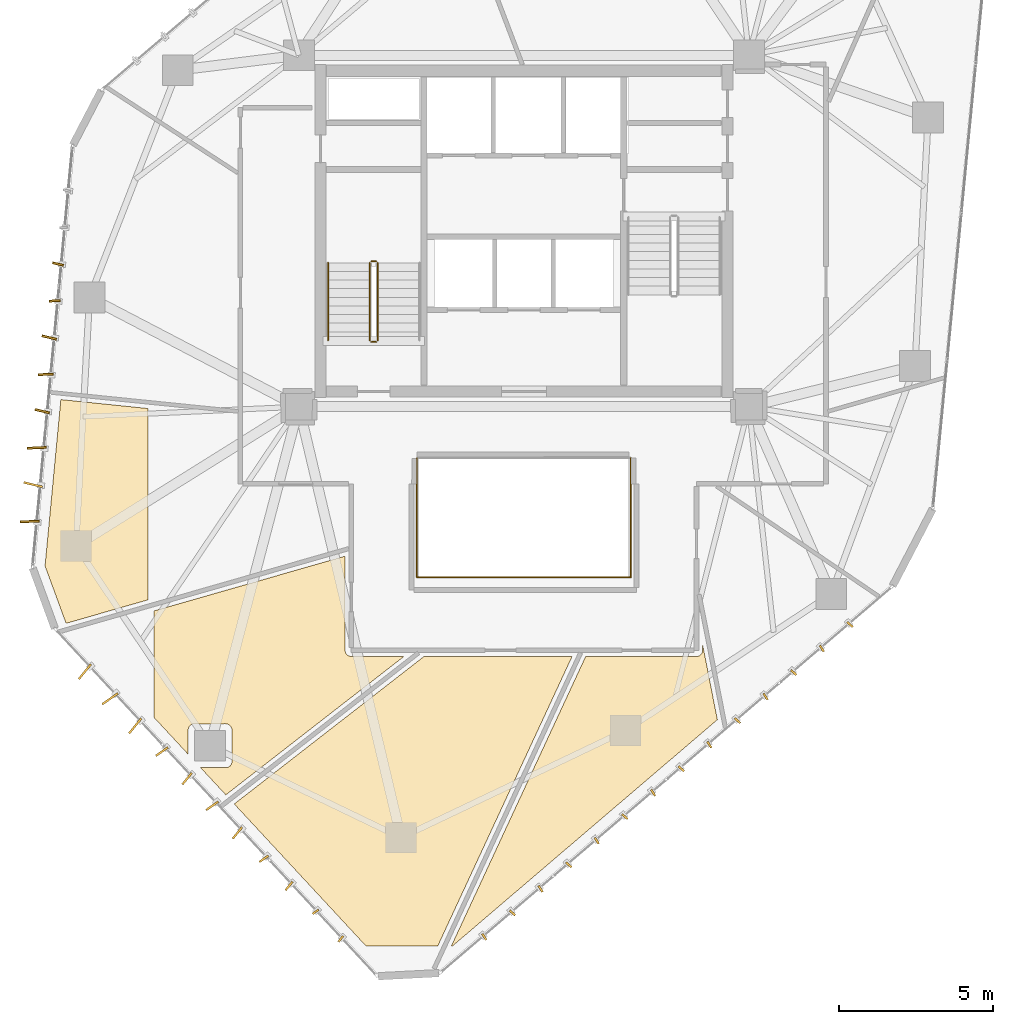
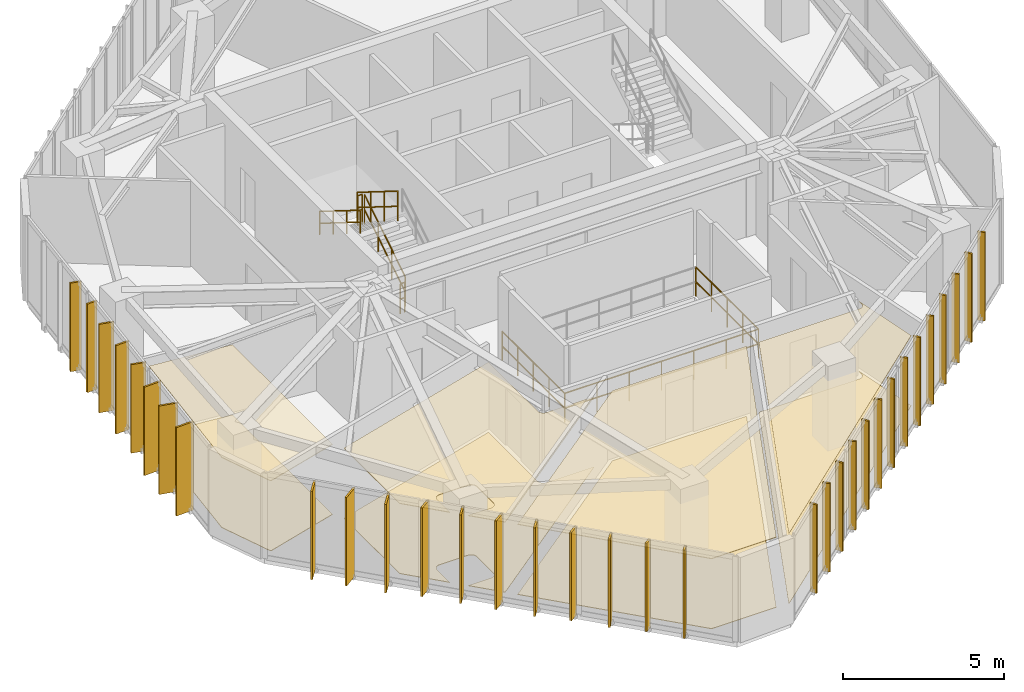
# One storey, part 20 of 21: 33 shading devices, 8 coverings, 8 railings.
"""IFC4 building model written with IfcOpenShell, lengths in metres."""

import ifcopenshell
import ifcopenshell.guid

model = None  # the IFC model being written
_history = None  # IfcOwnerHistory: only IFC2X3 demands one
_inside = {}  # id of a spatial element -> (the spatial element, [elements in it])
_under = {}  # id of a project, library or spatial element -> (it, [spatial elements below it])
_declared = {}  # id of a project -> (the project, [libraries it declares])
_typed = {}  # id of a type object -> (the type object, [elements of that type])
_made_of = {}  # id of a material, layer set ... -> (it, [elements and type objects made of it])


def new_model(schema):
    """Start an empty IFC model of exactly this schema.

    Asked for "IFC4X3", IfcOpenShell would pick the latest addendum, in which some entities
    have other attributes; the version numbers below select the first issue.
    IFC2X3 requires an IfcOwnerHistory on every rooted entity: one is made here for all.
    """
    global model, _history
    if schema == "IFC4X3":
        model = ifcopenshell.file(schema_version=(4, 3, 0, 0))
    else:
        model = ifcopenshell.file(schema=schema)
    _inside.clear()
    _under.clear()
    _declared.clear()
    _typed.clear()
    _made_of.clear()
    _history = None
    if model.schema == "IFC2X3":
        org = make("IfcOrganization", Name="unknown")
        user = make(
            "IfcPersonAndOrganization",
            ThePerson=make("IfcPerson", FamilyName="unknown"),
            TheOrganization=org,
        )
        app = make(
            "IfcApplication",
            ApplicationDeveloper=org,
            Version="unknown",
            ApplicationFullName="unknown",
            ApplicationIdentifier="unknown",
        )
        _history = make(
            "IfcOwnerHistory",
            OwningUser=user,
            OwningApplication=app,
            ChangeAction="ADDED",
            CreationDate=0,
        )
    return model


def make(cls, **values):
    """One entity of the class cls with the attributes given. An attribute that is None is left unset."""
    return model.create_entity(
        cls, **{name: value for name, value in values.items() if value is not None}
    )


def rooted(cls, **values):
    """An entity with a GlobalId (a new one), such as an element, a storey or a relation."""
    return make(cls, GlobalId=ifcopenshell.guid.new(), OwnerHistory=_history, **values)


def si_unit(unit_type, name, prefix=None):
    """IfcSIUnit, for example si_unit("LENGTHUNIT", "METRE", prefix="MILLI")."""
    return make("IfcSIUnit", UnitType=unit_type, Prefix=prefix, Name=name)


def assignment(units):
    """IfcUnitAssignment: the units of a project."""
    return None if units is None else make("IfcUnitAssignment", Units=units)


def point(xyz):
    """IfcCartesianPoint."""
    return None if xyz is None else make("IfcCartesianPoint", Coordinates=xyz)


def direction(xyz):
    """IfcDirection."""
    return None if xyz is None else make("IfcDirection", DirectionRatios=xyz)


def frame(location, z_axis=None, x_axis=None):
    """IfcAxis2Placement3D, a coordinate frame: its origin and axes. An axis left out is left unset."""
    return make(
        "IfcAxis2Placement3D",
        Location=point(location),
        Axis=direction(z_axis),
        RefDirection=direction(x_axis),
    )


def frame_2d(location, x_axis=None):
    """IfcAxis2Placement2D, a coordinate frame in the plane: its origin and x axis."""
    return make(
        "IfcAxis2Placement2D", Location=point(location), RefDirection=direction(x_axis)
    )


def origin():
    """The frame at (0, 0, 0) with its axes left unset."""
    return frame((0.0, 0.0, 0.0))


def origin_2d():
    """The frame at (0, 0) in the plane with its x axis left unset."""
    return frame_2d((0.0, 0.0))


def place(relative_to, where):
    """IfcLocalPlacement: puts the frame where relative to a parent placement (None: the world)."""
    return make(
        "IfcLocalPlacement", PlacementRelTo=relative_to, RelativePlacement=where
    )


def context(
    kind, dimensions, precision=None, world=None, true_north=None, identifier=None
):
    """IfcGeometricRepresentationContext, for example the 3D "Model" context."""
    return make(
        "IfcGeometricRepresentationContext",
        ContextIdentifier=identifier,
        ContextType=kind,
        CoordinateSpaceDimension=dimensions,
        Precision=precision,
        WorldCoordinateSystem=world,
        TrueNorth=true_north,
    )


def subcontext(parent, identifier, kind, view, scale=None):
    """IfcGeometricRepresentationSubContext, for example "Body" below "Model"."""
    return make(
        "IfcGeometricRepresentationSubContext",
        ContextIdentifier=identifier,
        ContextType=kind,
        ParentContext=parent,
        TargetScale=scale,
        TargetView=view,
    )


def project(units=None, contexts=None):
    """IfcProject with its units and contexts."""
    return rooted(
        "IfcProject",
        Name="project",
        RepresentationContexts=contexts,
        UnitsInContext=assignment(units),
    )


def spatial(cls, under=None, at=None, **own):
    """A site, building, storey or space (cls), placed at a placement, below another one or the project."""
    s = rooted(cls, ObjectPlacement=at, **own)
    if under is not None:
        _under.setdefault(under.id(), (under, []))[1].append(s)
    return s


def polyline(points):
    """IfcPolyline through the points."""
    return make("IfcPolyline", Points=[point(p) for p in points])


def profile(cls, at=None, kind="AREA", **sizes):
    """A parametric profile (cls). Its sizes go by their IFC names, for example OverallWidth=200.0."""
    return make(cls, ProfileType=kind, Position=at, **sizes)


def rectangle(**sizes):
    """IfcRectangleProfileDef."""
    return profile("IfcRectangleProfileDef", **sizes)


def circle(**sizes):
    """IfcCircleProfileDef."""
    return profile("IfcCircleProfileDef", **sizes)


def outline(outer, holes=None, kind="AREA"):
    """IfcArbitraryClosedProfileDef: a profile drawn as a closed curve; with holes, ...WithVoids."""
    if holes is None:
        return make("IfcArbitraryClosedProfileDef", ProfileType=kind, OuterCurve=outer)
    return make(
        "IfcArbitraryProfileDefWithVoids",
        ProfileType=kind,
        OuterCurve=outer,
        InnerCurves=holes,
    )


def extrude(swept, where, along, depth):
    """IfcExtrudedAreaSolid: the profile swept, set in the frame where, extruded along a direction by depth."""
    return make(
        "IfcExtrudedAreaSolid",
        SweptArea=swept,
        Position=where,
        ExtrudedDirection=direction(along),
        Depth=depth,
    )


def shape(context_of_items, identifier, shape_type, items):
    """IfcShapeRepresentation: the items that make up one representation, for example the "Body"."""
    return make(
        "IfcShapeRepresentation",
        ContextOfItems=context_of_items,
        RepresentationIdentifier=identifier,
        RepresentationType=shape_type,
        Items=items,
    )


def source(mapping_origin, context_of_items, identifier, shape_type, items):
    """IfcRepresentationMap: a shape defined once, which mapped items show again and again."""
    return make(
        "IfcRepresentationMap",
        MappingOrigin=mapping_origin,
        MappedRepresentation=shape(context_of_items, identifier, shape_type, items),
    )


def transform(
    local_origin,
    x_axis=None,
    y_axis=None,
    z_axis=None,
    scale=None,
    scale2=None,
    scale3=None,
    uniform=True,
):
    """IfcCartesianTransformationOperator3D, or its non-uniform kind. x_axis, y_axis, z_axis: its Axis1, 2, 3."""
    if uniform:
        return make(
            "IfcCartesianTransformationOperator3D",
            Axis1=direction(x_axis),
            Axis2=direction(y_axis),
            LocalOrigin=point(local_origin),
            Scale=scale,
            Axis3=direction(z_axis),
        )
    return make(
        "IfcCartesianTransformationOperator3DnonUniform",
        Axis1=direction(x_axis),
        Axis2=direction(y_axis),
        LocalOrigin=point(local_origin),
        Scale=scale,
        Axis3=direction(z_axis),
        Scale2=scale2,
        Scale3=scale3,
    )


def mapped(mapping_source, mapping_target):
    """IfcMappedItem: shows the shape of a source again, moved by a transform."""
    return make(
        "IfcMappedItem", MappingSource=mapping_source, MappingTarget=mapping_target
    )


def material(Name=None, Category=None):
    """IfcMaterial."""
    return make("IfcMaterial", Name=Name, Category=Category)


def layer(
    of_material, thickness, ventilated=None, Name=None, Category=None, Priority=None
):
    """IfcMaterialLayer: one layer of a wall or slab, of a material (None: an air gap)."""
    return make(
        "IfcMaterialLayer",
        Material=of_material,
        LayerThickness=thickness,
        IsVentilated=ventilated,
        Name=Name,
        Category=Category,
        Priority=Priority,
    )


def layer_set(layers, Name=None):
    """IfcMaterialLayerSet."""
    return make("IfcMaterialLayerSet", MaterialLayers=layers, LayerSetName=Name)


def made_of(thing, what):
    """Note that an element or type object is made of a material, layer set ...; save() writes the relation."""
    if what is not None:
        _made_of.setdefault(what.id(), (what, []))[1].append(thing)
    return thing


def type_object(cls, material=None, **own):
    """A type object (cls), such as IfcWallType, which elements share."""
    return made_of(rooted(cls, **own), material)


def type_shapes(of_type, sources):
    """Give a type object the sources (RepresentationMaps) that its elements show as mapped items."""
    of_type.RepresentationMaps = sources


def element(
    cls,
    number,
    at=None,
    inside=None,
    cuts=None,
    type_object=None,
    material=None,
    context=None,
    identifier="Body",
    shape_type=None,
    held_by="IfcProductDefinitionShape",
    body=None,
    shapes=None,
    **own,
):
    """One element of the class cls, such as IfcWall. Its Tag is "e" and its number.

    at: its placement. inside: the storey or other place that contains it. cuts: it is an
    opening in that element (IfcRelVoidsElement). A single representation is given by context,
    identifier, shape_type and body (its items); several are given by shapes. held_by: the class
    of the entity that holds the representations. save() writes the other relations.
    """
    e = rooted(cls, Tag="e%d" % number, ObjectPlacement=at, **own)
    if body is not None:
        shapes = [shape(context, identifier, shape_type, body)]
    if shapes is not None:
        e.Representation = make(held_by, Representations=shapes)
    if inside is not None:
        _inside.setdefault(inside.id(), (inside, []))[1].append(e)
    if cuts is not None:
        rooted(
            "IfcRelVoidsElement", RelatingBuildingElement=cuts, RelatedOpeningElement=e
        )
    if type_object is not None:
        _typed.setdefault(type_object.id(), (type_object, []))[1].append(e)
    return made_of(e, material)


def aggregate(whole, parts):
    """IfcRelAggregates: a whole, such as a stair, and the parts it consists of."""
    return rooted("IfcRelAggregates", RelatingObject=whole, RelatedObjects=parts)


def save(model, path):
    """Write the relations noted so far, then the file.

    IfcRelAggregates (storeys below a building ...), IfcRelContainedInSpatialStructure (elements
    in a storey), IfcRelDefinesByType, IfcRelAssociatesMaterial and IfcRelDeclares: one each for
    every whole, place, type object, material and project.
    """
    for whole, parts in _under.values():
        aggregate(whole, parts)
    for where, things in _inside.values():
        rooted(
            "IfcRelContainedInSpatialStructure",
            RelatedElements=things,
            RelatingStructure=where,
        )
    for kind, things in _typed.values():
        rooted("IfcRelDefinesByType", RelatedObjects=things, RelatingType=kind)
    for what, things in _made_of.values():
        rooted("IfcRelAssociatesMaterial", RelatedObjects=things, RelatingMaterial=what)
    for by, libraries in _declared.values():
        rooted("IfcRelDeclares", RelatingContext=by, RelatedDefinitions=libraries)
    model.write(path)


model = new_model("IFC4")

# Units and contexts
model_context = context("Model", 3, precision=1e-05, world=origin(), true_north=direction((0.0, 1.0)))
body_context = subcontext(model_context, "Body", "Model", "MODEL_VIEW")
ifc_project = project(units=[si_unit("LENGTHUNIT", "METRE"), si_unit("AREAUNIT", "SQUARE_METRE"), si_unit("VOLUMEUNIT", "CUBIC_METRE"), si_unit("PLANEANGLEUNIT", "RADIAN"), si_unit("MASSUNIT", "GRAM", prefix="KILO")], contexts=[model_context])

# Site, building, storey
site_placement = place(None, origin())
site = spatial("IfcSite", under=ifc_project, at=site_placement, CompositionType="ELEMENT")
building_placement = place(site_placement, origin())
building = spatial("IfcBuilding", under=site, at=building_placement, Name="Talar Marvaseh", CompositionType="ELEMENT")
storey_placement = place(building_placement, frame((0.0, 0.0, 225.699951171875)))
storey = spatial("IfcBuildingStorey", under=building, at=storey_placement, Name="L59", CompositionType="ELEMENT", Elevation=225.699951171875)

# Railings
ifc_material_1 = material(Name="Stainless Steel Grade 316", Category="steel")
railing_type_1 = type_object("IfcRailingType", Name="Brushed Stainless Wall Pitch Handrail 900", PredefinedType="HANDRAIL", material=ifc_material_1)
railing_1_placement = place(storey_placement, frame((19.64990234375, 30.169921875, 1.925048828125)))
element("IfcRailing", 1, at=railing_1_placement, inside=storey, type_object=railing_type_1, Name="L59 ST-1 stair handrail 2", PredefinedType="HANDRAIL", context=body_context, shape_type="SweptSolid", body=[
    extrude(circle(Radius=0.02392578125, at=origin_2d()), frame((0.0, 0.0, 0.8759765625), z_axis=(0.0, -0.848007534815, 0.529984170421), x_axis=(1.0, 0.0, 0.0)), (0.0, 0.0, 1.0), 2.9716796875),
    extrude(circle(Radius=0.02392578125, at=origin_2d()), frame((0.0, 0.0, 0.42578125), z_axis=(0.0, -0.848007534815, 0.529984170421), x_axis=(1.0, 0.0, 0.0)), (0.0, 0.0, 1.0), 2.9716796875),
    extrude(circle(Radius=0.02099609375, at=origin_2d()), origin(), (0.0, 0.0, 1.0), 0.851806640625),
    extrude(circle(Radius=0.02099609375, at=origin_2d()), frame((0.0, -0.840087890625, 0.52490234375)), (0.0, 0.0, 1.0), 0.851806640625),
    extrude(circle(Radius=0.02099609375, at=origin_2d()), frame((0.0, -1.679931640625, 1.050048828125)), (0.0, 0.0, 1.0), 0.851806640625),
    extrude(circle(Radius=0.02099609375, at=origin_2d()), frame((0.0, -2.52001953125, 1.574951171875)), (0.0, 0.0, 1.0), 0.851806640625),
])
ifc_material_2 = material(Name="Tempered Clear Glass", Category="glass")
railing_type_2 = type_object("IfcRailingType", Name="Interior Atrium Edge Balustrade 1120", PredefinedType="BALUSTRADE", material=ifc_material_2)
railing_2_placement = place(storey_placement, frame((22.5302734375, 19.9609375, 0.0)))
element("IfcRailing", 2, at=railing_2_placement, inside=storey, type_object=railing_type_2, Name="L59 Internal Daylight Atrium Balustrade 1", PredefinedType="BALUSTRADE", context=body_context, shape_type="SweptSolid", body=[
    extrude(circle(Radius=0.02392578125, at=origin_2d()), frame((0.0, 0.0, 1.09619140625), z_axis=(1.0, 0.0, 0.0), x_axis=(0.0, 1.0, 0.0)), (0.0, 0.0, 1.0), 6.939453125),
    extrude(circle(Radius=0.02392578125, at=origin_2d()), frame((0.0, 0.0, 0.5361328125), z_axis=(1.0, 0.0, 0.0), x_axis=(0.0, 1.0, 0.0)), (0.0, 0.0, 1.0), 6.939453125),
    extrude(circle(Radius=0.02099609375, at=origin_2d()), origin(), (0.0, 0.0, 1.0), 1.072021484375),
    extrude(circle(Radius=0.02099609375, at=origin_2d()), frame((1.156494140625, 0.0, 0.0)), (0.0, 0.0, 1.0), 1.072021484375),
    extrude(circle(Radius=0.02099609375, at=origin_2d()), frame((2.313232421875, 0.0, 0.0)), (0.0, 0.0, 1.0), 1.072021484375),
    extrude(circle(Radius=0.02099609375, at=origin_2d()), frame((3.4697265625, 0.0, 0.0)), (0.0, 0.0, 1.0), 1.072021484375),
    extrude(circle(Radius=0.02099609375, at=origin_2d()), frame((4.626220703125, 0.0, 0.0)), (0.0, 0.0, 1.0), 1.072021484375),
    extrude(circle(Radius=0.02099609375, at=origin_2d()), frame((5.782958984375, 0.0, 0.0)), (0.0, 0.0, 1.0), 1.072021484375),
    extrude(circle(Radius=0.02099609375, at=origin_2d()), frame((6.939453125, 0.0, 0.0)), (0.0, 0.0, 1.0), 1.072021484375),
])
railing_3_placement = place(storey_placement, frame((29.4697265625, 19.9609375, 0.0)))
element("IfcRailing", 3, at=railing_3_placement, inside=storey, type_object=railing_type_2, Name="L59 Internal Daylight Atrium Balustrade 2", PredefinedType="BALUSTRADE", context=body_context, shape_type="SweptSolid", body=[
    extrude(circle(Radius=0.02392578125, at=origin_2d()), frame((0.0, 0.0, 1.09619140625), z_axis=(0.0, 1.0, 0.0), x_axis=(-1.0, 0.0, 0.0)), (0.0, 0.0, 1.0), 3.878173828125),
    extrude(circle(Radius=0.02392578125, at=origin_2d()), frame((0.0, 0.0, 0.5361328125), z_axis=(0.0, 1.0, 0.0), x_axis=(-1.0, 0.0, 0.0)), (0.0, 0.0, 1.0), 3.878173828125),
    extrude(circle(Radius=0.02099609375, at=origin_2d()), origin(), (0.0, 0.0, 1.0), 1.072021484375),
    extrude(circle(Radius=0.02099609375, at=origin_2d()), frame((0.0, 0.969482421875, 0.0)), (0.0, 0.0, 1.0), 1.072021484375),
    extrude(circle(Radius=0.02099609375, at=origin_2d()), frame((0.0, 1.93896484375, 0.0)), (0.0, 0.0, 1.0), 1.072021484375),
    extrude(circle(Radius=0.02099609375, at=origin_2d()), frame((0.0, 2.90869140625, 0.0)), (0.0, 0.0, 1.0), 1.072021484375),
    extrude(circle(Radius=0.02099609375, at=origin_2d()), frame((0.0, 3.878173828125, 0.0)), (0.0, 0.0, 1.0), 1.072021484375),
])
railing_4_placement = place(storey_placement, frame((22.5302734375, 23.839111328125, 0.0)))
element("IfcRailing", 4, at=railing_4_placement, inside=storey, type_object=railing_type_2, Name="L59 Internal Daylight Atrium Balustrade 4", PredefinedType="BALUSTRADE", context=body_context, shape_type="SweptSolid", body=[
    extrude(circle(Radius=0.02392578125, at=origin_2d()), frame((0.0, 0.0, 1.09619140625), z_axis=(0.0, -1.0, 0.0), x_axis=(1.0, 0.0, 0.0)), (0.0, 0.0, 1.0), 3.878173828125),
    extrude(circle(Radius=0.02392578125, at=origin_2d()), frame((0.0, 0.0, 0.5361328125), z_axis=(0.0, -1.0, 0.0), x_axis=(1.0, 0.0, 0.0)), (0.0, 0.0, 1.0), 3.878173828125),
    extrude(circle(Radius=0.02099609375, at=origin_2d()), origin(), (0.0, 0.0, 1.0), 1.072021484375),
    extrude(circle(Radius=0.02099609375, at=origin_2d()), frame((0.0, -0.969482421875, 0.0)), (0.0, 0.0, 1.0), 1.072021484375),
    extrude(circle(Radius=0.02099609375, at=origin_2d()), frame((0.0, -1.93896484375, 0.0)), (0.0, 0.0, 1.0), 1.072021484375),
    extrude(circle(Radius=0.02099609375, at=origin_2d()), frame((0.0, -2.90869140625, 0.0)), (0.0, 0.0, 1.0), 1.072021484375),
    extrude(circle(Radius=0.02099609375, at=origin_2d()), frame((0.0, -3.878173828125, 0.0)), (0.0, 0.0, 1.0), 1.072021484375),
])
railing_type_3 = type_object("IfcRailingType", Name="Painted Steel Core Stair Well Guardrail 1150", PredefinedType="GUARDRAIL", material=ifc_material_1)
railing_5_placement = place(storey_placement, frame((21.260009765625, 27.64990234375, 0.175048828125)))
element("IfcRailing", 5, at=railing_5_placement, inside=storey, type_object=railing_type_3, Name="L59 ST-1 stair guard 1", PredefinedType="GUARDRAIL", context=body_context, shape_type="SweptSolid", body=[
    extrude(circle(Radius=0.02392578125, at=origin_2d()), frame((0.0, 0.0, 1.1259765625), z_axis=(0.0, 0.848007534815, 0.529984170421), x_axis=(-1.0, 0.0, 0.0)), (0.0, 0.0, 1.0), 2.9716796875),
    extrude(circle(Radius=0.02392578125, at=origin_2d()), frame((0.0, 0.0, 0.55078125), z_axis=(0.0, 0.848007534815, 0.529984170421), x_axis=(-1.0, 0.0, 0.0)), (0.0, 0.0, 1.0), 2.9716796875),
    extrude(circle(Radius=0.02099609375, at=origin_2d()), origin(), (0.0, 0.0, 1.0), 1.101806640625),
    extrude(circle(Radius=0.02099609375, at=origin_2d()), frame((0.0, 0.840087890625, 0.52490234375)), (0.0, 0.0, 1.0), 1.101806640625),
    extrude(circle(Radius=0.02099609375, at=origin_2d()), frame((0.0, 1.679931640625, 1.050048828125)), (0.0, 0.0, 1.0), 1.101806640625),
    extrude(circle(Radius=0.02099609375, at=origin_2d()), frame((0.0, 2.52001953125, 1.574951171875)), (0.0, 0.0, 1.0), 1.101806640625),
])
railing_6_placement = place(storey_placement, frame((21.2099609375, 30.219970703125, 1.75)))
element("IfcRailing", 6, at=railing_6_placement, inside=storey, type_object=railing_type_3, Name="L59 ST-1 stair guard 2", PredefinedType="GUARDRAIL", context=body_context, shape_type="SweptSolid", body=[
    extrude(circle(Radius=0.02392578125, at=origin_2d()), frame((0.0, 0.0, 1.1259765625), z_axis=(-1.0, 0.0, 0.0), x_axis=(0.0, -1.0, 0.0)), (0.0, 0.0, 1.0), 0.159912109375),
    extrude(circle(Radius=0.02392578125, at=origin_2d()), frame((0.0, 0.0, 0.55078125), z_axis=(-1.0, 0.0, 0.0), x_axis=(0.0, -1.0, 0.0)), (0.0, 0.0, 1.0), 0.159912109375),
    extrude(circle(Radius=0.02099609375, at=origin_2d()), origin(), (0.0, 0.0, 1.0), 1.101806640625),
    extrude(circle(Radius=0.02099609375, at=origin_2d()), frame((-0.159912109375, 0.0, 0.0)), (0.0, 0.0, 1.0), 1.101806640625),
])
railing_7_placement = place(storey_placement, frame((21.0, 30.169921875, 1.925048828125)))
element("IfcRailing", 7, at=railing_7_placement, inside=storey, type_object=railing_type_3, Name="L59 ST-1 stair guard 3", PredefinedType="GUARDRAIL", context=body_context, shape_type="SweptSolid", body=[
    extrude(circle(Radius=0.02392578125, at=origin_2d()), frame((0.0, 0.0, 1.1259765625), z_axis=(0.0, -0.848007534815, 0.529984170421), x_axis=(1.0, 0.0, 0.0)), (0.0, 0.0, 1.0), 2.9716796875),
    extrude(circle(Radius=0.02392578125, at=origin_2d()), frame((0.0, 0.0, 0.55078125), z_axis=(0.0, -0.848007534815, 0.529984170421), x_axis=(1.0, 0.0, 0.0)), (0.0, 0.0, 1.0), 2.9716796875),
    extrude(circle(Radius=0.02099609375, at=origin_2d()), origin(), (0.0, 0.0, 1.0), 1.101806640625),
    extrude(circle(Radius=0.02099609375, at=origin_2d()), frame((0.0, -0.840087890625, 0.52490234375)), (0.0, 0.0, 1.0), 1.101806640625),
    extrude(circle(Radius=0.02099609375, at=origin_2d()), frame((0.0, -1.679931640625, 1.050048828125)), (0.0, 0.0, 1.0), 1.101806640625),
    extrude(circle(Radius=0.02099609375, at=origin_2d()), frame((0.0, -2.52001953125, 1.574951171875)), (0.0, 0.0, 1.0), 1.101806640625),
])
railing_8_placement = place(storey_placement, frame((21.2099609375, 27.60009765625, 0.0)))
element("IfcRailing", 8, at=railing_8_placement, inside=storey, type_object=railing_type_3, Name="L59 ST-1 stair guard 4", PredefinedType="GUARDRAIL", context=body_context, shape_type="SweptSolid", body=[
    extrude(circle(Radius=0.02392578125, at=origin_2d()), frame((0.0, 0.0, 1.1259765625), z_axis=(-1.0, 0.0, 0.0), x_axis=(0.0, -1.0, 0.0)), (0.0, 0.0, 1.0), 0.159912109375),
    extrude(circle(Radius=0.02392578125, at=origin_2d()), frame((0.0, 0.0, 0.55078125), z_axis=(-1.0, 0.0, 0.0), x_axis=(0.0, -1.0, 0.0)), (0.0, 0.0, 1.0), 0.159912109375),
    extrude(circle(Radius=0.02099609375, at=origin_2d()), origin(), (0.0, 0.0, 1.0), 1.101806640625),
    extrude(circle(Radius=0.02099609375, at=origin_2d()), frame((-0.159912109375, 0.0, 0.0)), (0.0, 0.0, 1.0), 1.101806640625),
])

# Coverings
ifc_material_3 = material(Name="Mineral Fibre Acoustic Ceiling")
ifc_layer_1 = layer(ifc_material_3, 0.02490234375)
ifc_layer_set_1 = layer_set([ifc_layer_1], Name="Mineral Fibre Acoustic Ceiling")
covering_type_1 = type_object("IfcCoveringType", Name="Perforated Mineral Fibre Acoustic Suspended Ceiling", PredefinedType="CEILING", material=ifc_layer_set_1)
covering_1_placement = place(storey_placement, frame((0.0, 0.0, 2.650146484375)))
element("IfcCovering", 9, at=covering_1_placement, inside=storey, type_object=covering_type_1, Name="L59 Gallery Concierge Reception Acoustic Ceiling", PredefinedType="CEILING", context=body_context, shape_type="SweptSolid", body=[
    extrude(outline(polyline([(13.800048828125, 25.4423828125), (13.800048828125, 19.2333984375), (11.165283203125, 18.477783203125), (11.13525390625, 18.510498046875), (10.466552734375, 20.3349609375), (10.979736328125, 25.731689453125), (13.800048828125, 25.4423828125)])), origin(), (0.0, 0.0, 1.0), 0.02490234375),
])
covering_2_placement = place(storey_placement, frame((0.0, 0.0, 2.650146484375)))
element("IfcCovering", 10, at=covering_2_placement, inside=storey, type_object=covering_type_1, Name="L59 Rare Books Archive Room Acoustic Ceiling", PredefinedType="CEILING", context=body_context, shape_type="SweptSolid", body=[
    extrude(outline(polyline([(14.0, 18.87451171875), (20.199951171875, 20.65234375), (20.199951171875, 17.60009765625), (20.200927734375, 17.580322265625), (20.203857421875, 17.56103515625), (20.20849609375, 17.5419921875), (20.215087890625, 17.5234375), (20.2236328125, 17.505615234375), (20.233642578125, 17.489013671875), (20.245361328125, 17.47314453125), (20.258544921875, 17.45849609375), (20.273193359375, 17.4453125), (20.288818359375, 17.43359375), (20.3056640625, 17.423583984375), (20.323486328125, 17.415283203125), (20.341796875, 17.40869140625), (20.361083984375, 17.40380859375), (20.38037109375, 17.40087890625), (20.39990234375, 17.39990234375), (22.111083984375, 17.39990234375), (16.33154296875, 12.907958984375), (15.512939453125, 13.790283203125), (16.32958984375, 13.790283203125), (16.34912109375, 13.79150390625), (16.368408203125, 13.794189453125), (16.387451171875, 13.799072265625), (16.406005859375, 13.805419921875), (16.423583984375, 13.81396484375), (16.4404296875, 13.823974609375), (16.456298828125, 13.835693359375), (16.470703125, 13.8486328125), (16.48388671875, 13.86328125), (16.49560546875, 13.87890625), (16.505615234375, 13.8955078125), (16.51416015625, 13.913330078125), (16.520751953125, 13.931640625), (16.525634765625, 13.95068359375), (16.528564453125, 13.969970703125), (16.529541015625, 13.989501953125), (16.533935546875, 15.001708984375), (16.533203125, 15.020263671875), (16.530517578125, 15.038818359375), (16.5263671875, 15.056884765625), (16.5205078125, 15.07470703125), (16.512939453125, 15.091552734375), (16.50390625, 15.10791015625), (16.493408203125, 15.123291015625), (16.4814453125, 15.1376953125), (16.46826171875, 15.150634765625), (16.453369140625, 15.164306640625), (16.43896484375, 15.176025390625), (16.423583984375, 15.186279296875), (16.407470703125, 15.1953125), (16.390625, 15.202880859375), (16.373046875, 15.20849609375), (16.35498046875, 15.212646484375), (16.336669921875, 15.215087890625), (16.318115234375, 15.216064453125), (15.3076171875, 15.211669921875), (15.2880859375, 15.210693359375), (15.2685546875, 15.20751953125), (15.249755859375, 15.202880859375), (15.231201171875, 15.196044921875), (15.213623046875, 15.187744140625), (15.19677734375, 15.177490234375), (15.18115234375, 15.166015625), (15.166748046875, 15.152587890625), (15.153564453125, 15.13818359375), (15.141845703125, 15.122314453125), (15.1318359375, 15.105712890625), (15.12353515625, 15.087890625), (15.116943359375, 15.069580078125), (15.1123046875, 15.050537109375), (15.109375, 15.031005859375), (15.1083984375, 15.01171875), (15.1083984375, 14.2265625), (14.0, 15.421630859375), (14.0, 18.87451171875)])), origin(), (0.0, 0.0, 1.0), 0.02490234375),
])
covering_3_placement = place(storey_placement, frame((0.0, 0.0, 2.650146484375)))
element("IfcCovering", 11, at=covering_3_placement, inside=storey, type_object=covering_type_1, Name="L59 Visitor Orientation Foyer Acoustic Ceiling", PredefinedType="CEILING", context=body_context, shape_type="SweptSolid", body=[
    extrude(outline(polyline([(27.564208984375, 17.39990234375), (23.20361328125, 8.0), (20.8837890625, 8.0), (16.6044921875, 12.613525390625), (22.762939453125, 17.39990234375), (27.564208984375, 17.39990234375)])), origin(), (0.0, 0.0, 1.0), 0.02490234375),
])
covering_4_placement = place(storey_placement, frame((0.0, 0.0, 2.650146484375)))
element("IfcCovering", 12, at=covering_4_placement, inside=storey, type_object=covering_type_1, Name="L59 Collection Conservation Store Acoustic Ceiling", PredefinedType="CEILING", context=body_context, shape_type="SweptSolid", body=[
    extrude(outline(polyline([(31.60009765625, 17.39990234375), (31.61962890625, 17.40087890625), (31.638916015625, 17.40380859375), (31.658203125, 17.40869140625), (31.676513671875, 17.415283203125), (31.6943359375, 17.423583984375), (31.711181640625, 17.43359375), (31.726806640625, 17.4453125), (31.741455078125, 17.45849609375), (31.754638671875, 17.47314453125), (31.766357421875, 17.489013671875), (31.7763671875, 17.505615234375), (31.784912109375, 17.5234375), (31.79150390625, 17.5419921875), (31.796142578125, 17.56103515625), (31.799072265625, 17.580322265625), (31.800048828125, 17.60009765625), (31.800048828125, 17.771728515625), (32.2763671875, 15.3466796875), (23.67724609375, 8.0), (23.64453125, 8.0), (28.005126953125, 17.39990234375), (31.60009765625, 17.39990234375)])), origin(), (0.0, 0.0, 1.0), 0.02490234375),
])
ifc_material_4 = material(Name="Porcelain Stoneware Tile", Category="masonry")
ifc_layer_2 = layer(ifc_material_4, 0.02001953125)
ifc_layer_set_2 = layer_set([ifc_layer_2], Name="Porcelain Stoneware Tile")
covering_type_2 = type_object("IfcCoveringType", Name="Polished Porcelain Stoneware Gallery Flooring", PredefinedType="FLOORING", material=ifc_layer_set_2)
covering_5_placement = place(storey_placement, origin())
element("IfcCovering", 13, at=covering_5_placement, inside=storey, type_object=covering_type_2, Name="L59 Gallery Concierge Reception Flooring", PredefinedType="FLOORING", context=body_context, shape_type="SweptSolid", body=[
    extrude(outline(polyline([(13.800048828125, 25.4423828125), (13.800048828125, 19.2333984375), (11.165283203125, 18.477783203125), (11.13525390625, 18.510498046875), (10.466552734375, 20.3349609375), (10.979736328125, 25.731689453125), (13.800048828125, 25.4423828125)])), origin(), (0.0, 0.0, 1.0), 0.02001953125),
])
covering_6_placement = place(storey_placement, origin())
element("IfcCovering", 14, at=covering_6_placement, inside=storey, type_object=covering_type_2, Name="L59 Rare Books Archive Room Flooring", PredefinedType="FLOORING", context=body_context, shape_type="SweptSolid", body=[
    extrude(outline(polyline([(14.0, 18.87451171875), (20.199951171875, 20.65234375), (20.199951171875, 17.60009765625), (20.200927734375, 17.580322265625), (20.203857421875, 17.56103515625), (20.20849609375, 17.5419921875), (20.215087890625, 17.5234375), (20.2236328125, 17.505615234375), (20.233642578125, 17.489013671875), (20.245361328125, 17.47314453125), (20.258544921875, 17.45849609375), (20.273193359375, 17.4453125), (20.288818359375, 17.43359375), (20.3056640625, 17.423583984375), (20.323486328125, 17.415283203125), (20.341796875, 17.40869140625), (20.361083984375, 17.40380859375), (20.38037109375, 17.40087890625), (20.39990234375, 17.39990234375), (22.111083984375, 17.39990234375), (16.33154296875, 12.907958984375), (15.512939453125, 13.790283203125), (16.32958984375, 13.790283203125), (16.34912109375, 13.79150390625), (16.368408203125, 13.794189453125), (16.387451171875, 13.799072265625), (16.406005859375, 13.805419921875), (16.423583984375, 13.81396484375), (16.4404296875, 13.823974609375), (16.456298828125, 13.835693359375), (16.470703125, 13.8486328125), (16.48388671875, 13.86328125), (16.49560546875, 13.87890625), (16.505615234375, 13.8955078125), (16.51416015625, 13.913330078125), (16.520751953125, 13.931640625), (16.525634765625, 13.95068359375), (16.528564453125, 13.969970703125), (16.529541015625, 13.989501953125), (16.533935546875, 15.001708984375), (16.533203125, 15.020263671875), (16.530517578125, 15.038818359375), (16.5263671875, 15.056884765625), (16.5205078125, 15.07470703125), (16.512939453125, 15.091552734375), (16.50390625, 15.10791015625), (16.493408203125, 15.123291015625), (16.4814453125, 15.1376953125), (16.46826171875, 15.150634765625), (16.453369140625, 15.164306640625), (16.43896484375, 15.176025390625), (16.423583984375, 15.186279296875), (16.407470703125, 15.1953125), (16.390625, 15.202880859375), (16.373046875, 15.20849609375), (16.35498046875, 15.212646484375), (16.336669921875, 15.215087890625), (16.318115234375, 15.216064453125), (15.3076171875, 15.211669921875), (15.2880859375, 15.210693359375), (15.2685546875, 15.20751953125), (15.249755859375, 15.202880859375), (15.231201171875, 15.196044921875), (15.213623046875, 15.187744140625), (15.19677734375, 15.177490234375), (15.18115234375, 15.166015625), (15.166748046875, 15.152587890625), (15.153564453125, 15.13818359375), (15.141845703125, 15.122314453125), (15.1318359375, 15.105712890625), (15.12353515625, 15.087890625), (15.116943359375, 15.069580078125), (15.1123046875, 15.050537109375), (15.109375, 15.031005859375), (15.1083984375, 15.01171875), (15.1083984375, 14.2265625), (14.0, 15.421630859375), (14.0, 18.87451171875)])), origin(), (0.0, 0.0, 1.0), 0.02001953125),
])
covering_7_placement = place(storey_placement, origin())
element("IfcCovering", 15, at=covering_7_placement, inside=storey, type_object=covering_type_2, Name="L59 Visitor Orientation Foyer Flooring", PredefinedType="FLOORING", context=body_context, shape_type="SweptSolid", body=[
    extrude(outline(polyline([(27.564208984375, 17.39990234375), (23.20361328125, 8.0), (20.8837890625, 8.0), (16.6044921875, 12.613525390625), (22.762939453125, 17.39990234375), (27.564208984375, 17.39990234375)])), origin(), (0.0, 0.0, 1.0), 0.02001953125),
])
covering_8_placement = place(storey_placement, origin())
element("IfcCovering", 16, at=covering_8_placement, inside=storey, type_object=covering_type_2, Name="L59 Collection Conservation Store Flooring", PredefinedType="FLOORING", context=body_context, shape_type="SweptSolid", body=[
    extrude(outline(polyline([(31.60009765625, 17.39990234375), (31.61962890625, 17.40087890625), (31.638916015625, 17.40380859375), (31.658203125, 17.40869140625), (31.676513671875, 17.415283203125), (31.6943359375, 17.423583984375), (31.711181640625, 17.43359375), (31.726806640625, 17.4453125), (31.741455078125, 17.45849609375), (31.754638671875, 17.47314453125), (31.766357421875, 17.489013671875), (31.7763671875, 17.505615234375), (31.784912109375, 17.5234375), (31.79150390625, 17.5419921875), (31.796142578125, 17.56103515625), (31.799072265625, 17.580322265625), (31.800048828125, 17.60009765625), (31.800048828125, 17.771728515625), (32.2763671875, 15.3466796875), (23.67724609375, 8.0), (23.64453125, 8.0), (28.005126953125, 17.39990234375), (31.60009765625, 17.39990234375)])), origin(), (0.0, 0.0, 1.0), 0.02001953125),
])

# Shading devices
ifc_material_5 = material(Name="Anodised Champagne Bronze Aluminium", Category="aluminium")
ifc_layer_3 = layer(ifc_material_5, 0.06494140625)
ifc_layer_set_3 = layer_set([ifc_layer_3], Name="Anodised Champagne Bronze Aluminium")
shading_device_type_1 = type_object("IfcShadingDeviceType", Name="Sawtooth Champagne Bronze Vertical Fin 240", PredefinedType="USERDEFINED", material=ifc_layer_set_3)
shared_shape_1 = source(origin(), body_context, "Body", "SweptSolid", [
    extrude(rectangle(XDim=0.239990234375, YDim=0.06494140625, at=origin_2d()), origin(), (0.0, 0.0, 1.0), 3.35009765625),
])
type_shapes(shading_device_type_1, [shared_shape_1])
for number, where, z_axis, x_axis, name in (
    (17, (20.05810546875, 8.235595703125, -0.1201171875), (0.0, 0.0, 1.0), (-0.631352795449, -0.775495743172, 0.0), "L59 Sawtooth Vertical Solar Fin"),
    (18, (19.2421875, 9.115478515625, -0.1201171875), (0.0, 0.0, 1.0), (-0.820650854984, -0.571429938149, 0.0), "L59 Sawtooth Vertical Solar Fin"),
    (19, (36.57666015625, 18.435302734375, -0.1201171875), (0.0, 0.0, 1.0), (0.749071358396, -0.662489320691, 0.0), "L59 Sawtooth Vertical Solar Fin"),
    (20, (35.664306640625, 17.65576171875, -0.1201171875), (0.0, 0.0, 1.0), (0.537446799739, -0.843297656495, 0.0), "L59 Sawtooth Vertical Solar Fin"),
    (21, (34.751953125, 16.876220703125, -0.1201171875), (0.0, 0.0, 1.0), (0.749071358396, -0.662489320691, 0.0), "L59 Sawtooth Vertical Solar Fin"),
    (22, (33.839599609375, 16.0966796875, -0.1201171875), (0.0, 0.0, 1.0), (0.537446799739, -0.843297656495, 0.0), "L59 Sawtooth Vertical Solar Fin"),
    (23, (32.92724609375, 15.3173828125, -0.1201171875), (0.0, 0.0, 1.0), (0.749071358396, -0.662489320691, 0.0), "L59 Sawtooth Vertical Solar Fin"),
    (24, (32.014892578125, 14.537841796875, -0.1201171875), (0.0, 0.0, 1.0), (0.537446799739, -0.843297656495, 0.0), "L59 Sawtooth Vertical Solar Fin"),
    (25, (31.102294921875, 13.75830078125, -0.1201171875), (0.0, 0.0, 1.0), (0.749071358396, -0.662489320691, 0.0), "L59 Sawtooth Vertical Solar Fin"),
    (26, (30.190185546875, 12.97900390625, -0.1201171875), (0.0, 0.0, 1.0), (0.537446799739, -0.843297656495, 0.0), "L59 Sawtooth Vertical Solar Fin"),
    (27, (29.277587890625, 12.199462890625, -0.1201171875), (0.0, 0.0, 1.0), (0.749071358396, -0.662489320691, 0.0), "L59 Sawtooth Vertical Solar Fin"),
    (28, (28.365234375, 11.419921875, -0.1201171875), (0.0, 0.0, 1.0), (0.537446799739, -0.843297656495, 0.0), "L59 Sawtooth Vertical Solar Fin"),
    (29, (27.452880859375, 10.640380859375, -0.1201171875), (0.0, 0.0, 1.0), (0.749071358396, -0.662489320691, 0.0), "L59 Sawtooth Vertical Solar Fin"),
    (30, (26.54052734375, 9.861083984375, -0.1201171875), (0.0, 0.0, 1.0), (0.537446799739, -0.843297656495, 0.0), "L59 Sawtooth Vertical Solar Fin"),
    (31, (25.628173828125, 9.08154296875, -0.1201171875), (0.0, 0.0, 1.0), (0.749071358396, -0.662489320691, 0.0), "L59 Sawtooth Vertical Solar Fin"),
    (32, (24.7158203125, 8.302001953125, -0.1201171875), (0.0, 0.0, 1.0), (0.537446799739, -0.843297656495, 0.0), "L59 Sawtooth Vertical Solar Fin"),
):
    element("IfcShadingDevice", number, at=place(storey_placement, frame(where, z_axis=z_axis, x_axis=x_axis)), inside=storey, type_object=shading_device_type_1, Name=name, ObjectType="FIN", PredefinedType="USERDEFINED", context=body_context, shape_type="MappedRepresentation", body=[
        mapped(shared_shape_1, transform((0.0, 0.0, 0.0), x_axis=(1.0, 0.0, 0.0), y_axis=(0.0, 1.0, 0.0), z_axis=(0.0, 0.0, 1.0), scale=1.0)),
    ])
ifc_layer_4 = layer(ifc_material_5, 0.06494140625)
ifc_layer_set_4 = layer_set([ifc_layer_4], Name="Anodised Champagne Bronze Aluminium")
shading_device_type_2 = type_object("IfcShadingDeviceType", Name="Sawtooth Champagne Bronze Vertical Fin 360", PredefinedType="USERDEFINED", material=ifc_layer_set_4)
shared_shape_2 = source(origin(), body_context, "Body", "SweptSolid", [
    extrude(rectangle(XDim=0.360107421875, YDim=0.06494140625, at=origin_2d()), origin(), (0.0, 0.0, 1.0), 3.35009765625),
])
type_shapes(shading_device_type_2, [shared_shape_2])
for number, where, z_axis, x_axis, name in (
    (33, (18.382080078125, 9.95458984375, -0.1201171875), (0.0, 0.0, 1.0), (-0.631352795449, -0.775495743172, 0.0), "L59 Sawtooth Vertical Solar Fin"),
    (34, (17.56591796875, 10.834228515625, -0.1201171875), (0.0, 0.0, 1.0), (-0.820650854984, -0.571429938149, 0.0), "L59 Sawtooth Vertical Solar Fin"),
    (35, (10.77685546875, 28.932861328125, -0.1201171875), (0.0, 0.0, 1.0), (-0.998994184858, -0.044839922168, 0.0), "L59 Sawtooth Vertical Solar Fin"),
    (36, (10.890380859375, 30.12744140625, -0.1201171875), (0.0, 0.0, 1.0), (-0.97265440195, 0.232257215962, 0.0), "L59 Sawtooth Vertical Solar Fin"),
):
    element("IfcShadingDevice", number, at=place(storey_placement, frame(where, z_axis=z_axis, x_axis=x_axis)), inside=storey, type_object=shading_device_type_2, Name=name, ObjectType="FIN", PredefinedType="USERDEFINED", context=body_context, shape_type="MappedRepresentation", body=[
        mapped(shared_shape_2, transform((0.0, 0.0, 0.0), x_axis=(1.0, 0.0, 0.0), y_axis=(0.0, 1.0, 0.0), z_axis=(0.0, 0.0, 1.0), scale=1.0)),
    ])
ifc_layer_5 = layer(ifc_material_5, 0.06494140625)
ifc_layer_set_5 = layer_set([ifc_layer_5], Name="Anodised Champagne Bronze Aluminium")
shading_device_type_3 = type_object("IfcShadingDeviceType", Name="Sawtooth Champagne Bronze Vertical Fin 480", PredefinedType="USERDEFINED", material=ifc_layer_set_5)
shared_shape_3 = source(origin(), body_context, "Body", "SweptSolid", [
    extrude(rectangle(XDim=0.47998046875, YDim=0.06494140625, at=origin_2d()), origin(), (0.0, 0.0, 1.0), 3.35009765625),
])
type_shapes(shading_device_type_3, [shared_shape_3])
for number, where, z_axis, x_axis, name in (
    (37, (16.7060546875, 11.67333984375, -0.1201171875), (0.0, 0.0, 1.0), (-0.631352795449, -0.775495743172, 0.0), "L59 Sawtooth Vertical Solar Fin"),
    (38, (15.889892578125, 12.552978515625, -0.1201171875), (0.0, 0.0, 1.0), (-0.820650854984, -0.571429938149, 0.0), "L59 Sawtooth Vertical Solar Fin"),
    (39, (15.073974609375, 13.43310546875, -0.1201171875), (0.0, 0.0, 1.0), (-0.631352795449, -0.775495743172, 0.0), "L59 Sawtooth Vertical Solar Fin"),
    (40, (14.2578125, 14.312744140625, -0.1201171875), (0.0, 0.0, 1.0), (-0.820650854984, -0.571429938149, 0.0), "L59 Sawtooth Vertical Solar Fin"),
    (41, (10.376220703125, 25.354736328125, -0.1201171875), (0.0, 0.0, 1.0), (-0.97265440195, 0.232257215962, 0.0), "L59 Sawtooth Vertical Solar Fin"),
    (42, (10.489990234375, 26.54931640625, -0.1201171875), (0.0, 0.0, 1.0), (-0.998994184858, -0.044839922168, 0.0), "L59 Sawtooth Vertical Solar Fin"),
    (43, (10.603515625, 27.743896484375, -0.1201171875), (0.0, 0.0, 1.0), (-0.97265440195, 0.232257215962, 0.0), "L59 Sawtooth Vertical Solar Fin"),
):
    element("IfcShadingDevice", number, at=place(storey_placement, frame(where, z_axis=z_axis, x_axis=x_axis)), inside=storey, type_object=shading_device_type_3, Name=name, ObjectType="FIN", PredefinedType="USERDEFINED", context=body_context, shape_type="MappedRepresentation", body=[
        mapped(shared_shape_3, transform((0.0, 0.0, 0.0), x_axis=(1.0, 0.0, 0.0), y_axis=(0.0, 1.0, 0.0), z_axis=(0.0, 0.0, 1.0), scale=1.0)),
    ])
ifc_layer_6 = layer(ifc_material_5, 0.06494140625)
ifc_layer_set_6 = layer_set([ifc_layer_6], Name="Anodised Champagne Bronze Aluminium")
shading_device_type_4 = type_object("IfcShadingDeviceType", Name="Sawtooth Champagne Bronze Vertical Fin 620", PredefinedType="USERDEFINED", material=ifc_layer_set_6)
shared_shape_4 = source(origin(), body_context, "Body", "SweptSolid", [
    extrude(rectangle(XDim=0.6201171875, YDim=0.06494140625, at=origin_2d()), origin(), (0.0, 0.0, 1.0), 3.35009765625),
])
type_shapes(shading_device_type_4, [shared_shape_4])
for number, where, z_axis, x_axis, name in (
    (44, (13.390380859375, 15.14501953125, -0.1201171875), (0.0, 0.0, 1.0), (-0.631352795449, -0.775495743172, 0.0), "L59 Sawtooth Vertical Solar Fin"),
    (45, (12.574462890625, 16.02490234375, -0.1201171875), (0.0, 0.0, 1.0), (-0.820650854984, -0.571429938149, 0.0), "L59 Sawtooth Vertical Solar Fin"),
    (46, (11.75830078125, 16.904541015625, -0.1201171875), (0.0, 0.0, 1.0), (-0.631352795449, -0.775495743172, 0.0), "L59 Sawtooth Vertical Solar Fin"),
    (47, (9.9658203125, 21.777587890625, -0.1201171875), (0.0, 0.0, 1.0), (-0.998994184858, -0.044839922168, 0.0), "L59 Sawtooth Vertical Solar Fin"),
    (48, (10.079345703125, 22.97216796875, -0.1201171875), (0.0, 0.0, 1.0), (-0.97265440195, 0.232257215962, 0.0), "L59 Sawtooth Vertical Solar Fin"),
    (49, (10.193115234375, 24.166748046875, -0.1201171875), (0.0, 0.0, 1.0), (-0.998994184858, -0.044839922168, 0.0), "L59 Sawtooth Vertical Solar Fin"),
):
    element("IfcShadingDevice", number, at=place(storey_placement, frame(where, z_axis=z_axis, x_axis=x_axis)), inside=storey, type_object=shading_device_type_4, Name=name, ObjectType="FIN", PredefinedType="USERDEFINED", context=body_context, shape_type="MappedRepresentation", body=[
        mapped(shared_shape_4, transform((0.0, 0.0, 0.0), x_axis=(1.0, 0.0, 0.0), y_axis=(0.0, 1.0, 0.0), z_axis=(0.0, 0.0, 1.0), scale=1.0)),
    ])

save(model, "model.ifc")
